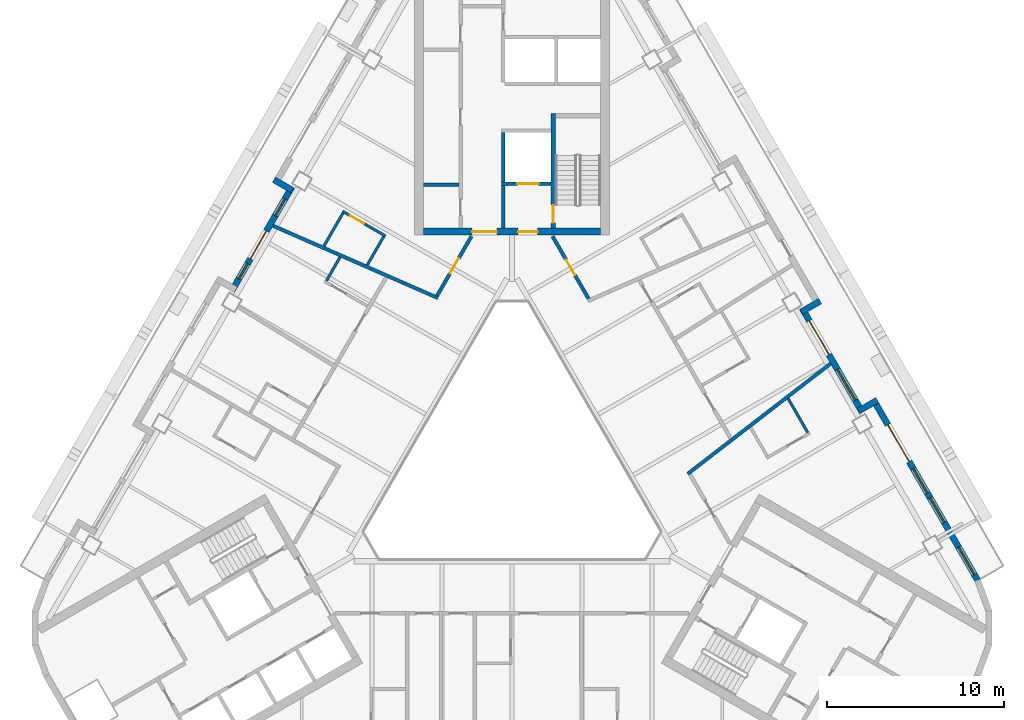
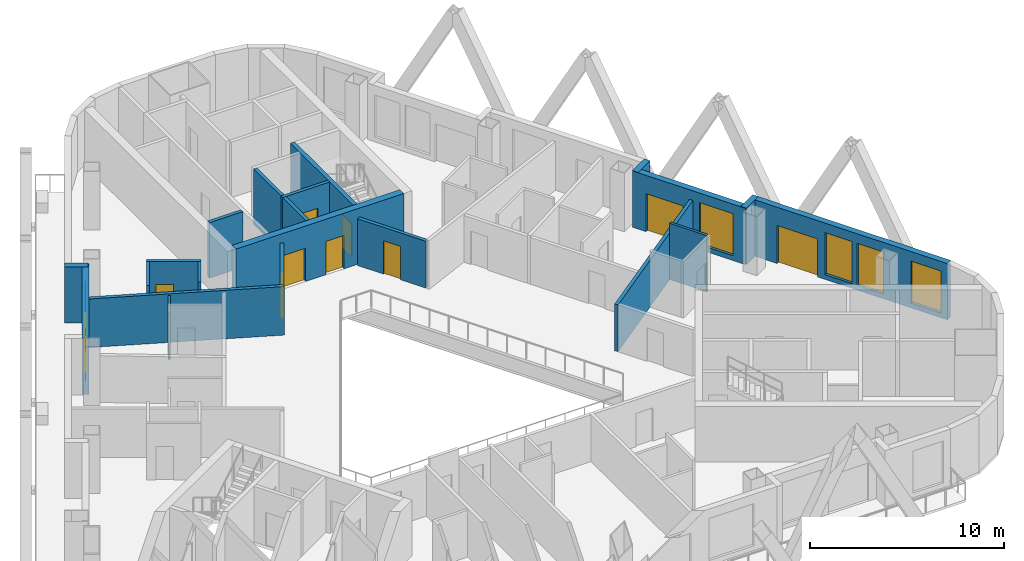
# One storey, part 6 of 14: 21 walls, 10 doors, 6 windows, 16 openings.
"""IFC4 building model written with IfcOpenShell, lengths in metres."""

from ifc_helpers import new_model, si_unit, direction, frame, frame_2d, origin, place, context, subcontext, project, spatial, rectangle, extrude, material, layer, layer_set, type_object, element, fill, save


model = new_model("IFC4")

# Units and contexts
model_context = context("Model", 3, precision=1e-05, world=origin(), true_north=direction((0.0, 1.0)))
body_context = subcontext(model_context, "Body", "Model", "MODEL_VIEW")
ifc_project = project(units=[si_unit("LENGTHUNIT", "METRE"), si_unit("AREAUNIT", "SQUARE_METRE"), si_unit("VOLUMEUNIT", "CUBIC_METRE"), si_unit("PLANEANGLEUNIT", "RADIAN"), si_unit("MASSUNIT", "GRAM", prefix="KILO")], contexts=[model_context])

# Site, building, storey
site_placement = place(None, origin())
site = spatial("IfcSite", under=ifc_project, at=site_placement, CompositionType="ELEMENT")
building_placement = place(site_placement, origin())
building = spatial("IfcBuilding", under=site, at=building_placement, Name="Apuvela Tower Hotel", CompositionType="ELEMENT")
storey_placement = place(building_placement, frame((0.0, 0.0, 176.199951171875)))
storey = spatial("IfcBuildingStorey", under=building, at=storey_placement, Name="L42", CompositionType="ELEMENT", Elevation=176.199951171875)

# Wall, openings, doors
ifc_material_1 = material(Name="Concrete C50/60", Category="concrete")
ifc_layer_1 = layer(ifc_material_1, 0.39990234375)
ifc_layer_set_1 = layer_set([ifc_layer_1], Name="COR-WALL-CORE-400")
wall_type_1 = type_object("IfcWallType", Name="COR-WALL-CORE-400", PredefinedType="SHEAR", material=ifc_layer_set_1)
wall_1_placement = place(storey_placement, frame((5.0, 13.10009765625, 0.0), z_axis=(0.0, 0.0, 1.0), x_axis=(-1.0, 0.0, 0.0)))
wall_1 = element("IfcWall", 1, at=wall_1_placement, inside=storey, type_object=wall_type_1, Name="Core wall N", PredefinedType="SHEAR", context=body_context, shape_type="SweptSolid", body=[
    extrude(rectangle(XDim=10.0, YDim=0.39990234375, at=frame_2d((5.0, 0.0))), origin(), (0.0, 0.0, 1.0), 3.5),
])
opening_1_placement = place(wall_1_placement, frame((3.550048828125, 0.0, 0.0)))
opening_1 = element("IfcOpeningElement", 2, at=opening_1_placement, cuts=wall_1, Name="Opening N-FD", PredefinedType="OPENING", context=body_context, shape_type="SweptSolid", body=[
    extrude(rectangle(XDim=1.10009765625, YDim=2.10009765625, at=frame_2d((0.550048828125, 1.050048828125))), frame((0.0, 0.2099609375, 0.0), z_axis=(0.0, -1.0, 0.0), x_axis=(1.0, 0.0, 0.0)), (0.0, 0.0, 1.0), 0.419921875),
])
opening_2_placement = place(wall_1_placement, frame((5.85009765625, 0.0, 0.0)))
opening_2 = element("IfcOpeningElement", 3, at=opening_2_placement, cuts=wall_1, Name="Opening N-GD", PredefinedType="OPENING", context=body_context, shape_type="SweptSolid", body=[
    extrude(rectangle(XDim=1.39990234375, YDim=2.10009765625, at=frame_2d((0.699951171875, 1.050048828125))), frame((0.0, 0.2099609375, 0.0), z_axis=(0.0, -1.0, 0.0), x_axis=(1.0, 0.0, 0.0)), (0.0, 0.0, 1.0), 0.419921875),
])
ifc_material_2 = material(Name="Steel fire door, powder coated", Category="steel")
door_type_1 = type_object("IfcDoorType", Name="COR-FD-1100", OperationType="NOTDEFINED", PredefinedType="DOOR", material=ifc_material_2)
door_1_placement = place(opening_1_placement, frame((1.10009765625, 0.0, 0.0), z_axis=(0.0, 0.0, 1.0), x_axis=(-1.0, 0.0, 0.0)))
door_1 = element("IfcDoor", 4, at=door_1_placement, inside=storey, type_object=door_type_1, Name="Firefighting lobby door N-FD", OperationType="SINGLE_SWING_LEFT", OverallHeight=2.10009765625, OverallWidth=1.10009765625, PredefinedType="DOOR", context=body_context, shape_type="SweptSolid", body=[
    extrude(rectangle(XDim=1.10009765625, YDim=2.10009765625, at=frame_2d((0.550048828125, 1.050048828125))), frame((0.0, 0.02490234375, 0.0), z_axis=(0.0, -1.0, 0.0), x_axis=(1.0, 0.0, 0.0)), (0.0, 0.0, 1.0), 0.050048828125),
])
fill(opening_1, door_1)
ifc_material_3 = material(Name="Glazed steel fire door", Category="steel")
door_type_2 = type_object("IfcDoorType", Name="COR-GD-1400", OperationType="DOUBLE_DOOR_SINGLE_SWING", PredefinedType="DOOR", material=ifc_material_3)
door_2_placement = place(opening_2_placement, frame((1.39990234375, 0.0, 0.0), z_axis=(0.0, 0.0, 1.0), x_axis=(-1.0, 0.0, 0.0)))
door_2 = element("IfcDoor", 5, at=door_2_placement, inside=storey, type_object=door_type_2, Name="Lift lobby door N-GD", OperationType="DOUBLE_DOOR_SINGLE_SWING", OverallHeight=2.10009765625, OverallWidth=1.39990234375, PredefinedType="DOOR", context=body_context, shape_type="SweptSolid", body=[
    extrude(rectangle(XDim=1.39990234375, YDim=2.10009765625, at=frame_2d((0.699951171875, 1.050048828125))), frame((0.0, 0.02490234375, 0.0), z_axis=(0.0, -1.0, 0.0), x_axis=(1.0, 0.0, 0.0)), (0.0, 0.0, 1.0), 0.050048828125),
])
fill(opening_2, door_2)

# Wall, opening, door
ifc_layer_2 = layer(ifc_material_1, 0.199951171875)
ifc_layer_set_2 = layer_set([ifc_layer_2], Name="COR-WALL-SHAFT-200")
wall_type_2 = type_object("IfcWallType", Name="COR-WALL-SHAFT-200", PredefinedType="SHEAR", material=ifc_layer_set_2)
wall_2_placement = place(storey_placement, frame((2.199951171875, 15.800048828125, 0.0), z_axis=(0.0, 0.0, 1.0), x_axis=(-1.0, 0.0, 0.0)))
wall_2 = element("IfcWall", 6, at=wall_2_placement, inside=storey, type_object=wall_type_2, Name="Shaft wall N", PredefinedType="SHEAR", context=body_context, shape_type="SweptSolid", body=[
    extrude(rectangle(XDim=2.800048828125, YDim=0.199951171875, at=frame_2d((1.39990234375, 0.0))), origin(), (0.0, 0.0, 1.0), 3.5),
])
opening_3_placement = place(wall_2_placement, frame((0.699951171875, 0.0, 0.0)))
opening_3 = element("IfcOpeningElement", 7, at=opening_3_placement, cuts=wall_2, Name="Opening N-LD-FS1", PredefinedType="OPENING", context=body_context, shape_type="SweptSolid", body=[
    extrude(rectangle(XDim=1.199951171875, YDim=2.10009765625, at=frame_2d((0.60009765625, 1.050048828125))), frame((0.0, 0.10986328125, 0.0), z_axis=(0.0, -1.0, 0.0), x_axis=(1.0, 0.0, 0.0)), (0.0, 0.0, 1.0), 0.219970703125),
])
ifc_material_4 = material(Name="Stainless steel lift landing door", Category="steel")
door_type_3 = type_object("IfcDoorType", Name="COR-LD-1200", OperationType="DOUBLE_DOOR_SLIDING", PredefinedType="DOOR", material=ifc_material_4)
door_3_placement = place(opening_3_placement, origin())
door_3 = element("IfcDoor", 8, at=door_3_placement, inside=storey, type_object=door_type_3, Name="Lift landing door N-LD-FS1", OperationType="DOUBLE_DOOR_SLIDING", OverallHeight=2.10009765625, OverallWidth=1.199951171875, PredefinedType="DOOR", context=body_context, shape_type="SweptSolid", body=[
    extrude(rectangle(XDim=1.199951171875, YDim=2.10009765625, at=frame_2d((0.60009765625, 1.050048828125))), frame((0.0, 0.02490234375, 0.0), z_axis=(0.0, -1.0, 0.0), x_axis=(1.0, 0.0, 0.0)), (0.0, 0.0, 1.0), 0.050048828125),
])
fill(opening_3, door_3)

# Walls
wall_3_placement = place(storey_placement, frame((-0.5, 15.89990234375, 0.0), z_axis=(0.0, 0.0, 1.0), x_axis=(0.0, 1.0, 0.0)))
element("IfcWall", 9, at=wall_3_placement, inside=storey, type_object=wall_type_2, Name="Shaft wall N", PredefinedType="SHEAR", context=body_context, shape_type="SweptSolid", body=[
    extrude(rectangle(XDim=2.800048828125, YDim=0.199951171875, at=frame_2d((1.39990234375, 0.0))), origin(), (0.0, 0.0, 1.0), 3.5),
])
wall_4_placement = place(storey_placement, frame((-0.5, 13.300048828125, 0.0), z_axis=(0.0, 0.0, 1.0), x_axis=(0.0, 1.0, 0.0)))
element("IfcWall", 10, at=wall_4_placement, inside=storey, type_object=wall_type_2, Name="Shaft wall N", PredefinedType="SHEAR", context=body_context, shape_type="SweptSolid", body=[
    extrude(rectangle(XDim=2.39990234375, YDim=0.199951171875, at=frame_2d((1.199951171875, 0.0))), origin(), (0.0, 0.0, 1.0), 3.5),
])
wall_5_placement = place(storey_placement, frame((-3.0, 15.739990234375, 0.0), z_axis=(0.0, 0.0, 1.0), x_axis=(-1.0, 0.0, 0.0)))
element("IfcWall", 11, at=wall_5_placement, inside=storey, type_object=wall_type_2, Name="Shaft wall N", PredefinedType="SHEAR", context=body_context, shape_type="SweptSolid", body=[
    extrude(rectangle(XDim=2.0, YDim=0.199951171875, at=frame_2d((1.0, 0.0))), origin(), (0.0, 0.0, 1.0), 3.5),
])

# Wall, opening, door
ifc_layer_3 = layer(ifc_material_1, 0.25)
ifc_layer_set_3 = layer_set([ifc_layer_3], Name="COR-WALL-STAIR-250")
wall_type_3 = type_object("IfcWallType", Name="COR-WALL-STAIR-250", PredefinedType="SHEAR", material=ifc_layer_set_3)
wall_6_placement = place(storey_placement, frame((2.324951171875, 13.300048828125, 0.0), z_axis=(0.0, 0.0, 1.0), x_axis=(0.0, 1.0, 0.0)))
wall_6 = element("IfcWall", 12, at=wall_6_placement, inside=storey, type_object=wall_type_3, Name="Stair wall N", PredefinedType="SHEAR", context=body_context, shape_type="SweptSolid", body=[
    extrude(rectangle(XDim=6.449951171875, YDim=0.25, at=frame_2d((3.22509765625, 0.0))), origin(), (0.0, 0.0, 1.0), 3.5),
])
opening_4_placement = place(wall_6_placement, frame((0.300048828125, 0.0, 0.0)))
opening_4 = element("IfcOpeningElement", 13, at=opening_4_placement, cuts=wall_6, Name="Opening N-SD", PredefinedType="OPENING", context=body_context, shape_type="SweptSolid", body=[
    extrude(rectangle(XDim=1.0, YDim=2.10009765625, at=frame_2d((0.5, 1.050048828125))), frame((0.0, 0.135009765625, 0.0), z_axis=(0.0, -1.0, 0.0), x_axis=(1.0, 0.0, 0.0)), (0.0, 0.0, 1.0), 0.27001953125),
])
door_type_4 = type_object("IfcDoorType", Name="COR-SD-1000", OperationType="NOTDEFINED", PredefinedType="DOOR", material=ifc_material_2)
door_4_placement = place(opening_4_placement, frame((1.0, 0.0, 0.0), z_axis=(0.0, 0.0, 1.0), x_axis=(-1.0, 0.0, 0.0)))
door_4 = element("IfcDoor", 14, at=door_4_placement, inside=storey, type_object=door_type_4, Name="Stair door N-SD", OperationType="SINGLE_SWING_LEFT", OverallHeight=2.10009765625, OverallWidth=1.0, PredefinedType="DOOR", context=body_context, shape_type="SweptSolid", body=[
    extrude(rectangle(XDim=1.0, YDim=2.10009765625, at=frame_2d((0.5, 1.050048828125))), frame((0.0, 0.02490234375, 0.0), z_axis=(0.0, -1.0, 0.0), x_axis=(1.0, 0.0, 0.0)), (0.0, 0.0, 1.0), 0.050048828125),
])
fill(opening_4, door_4)

# Wall
ifc_material_5 = material(Name="Concrete C40/50, dark pigmented precast panel", Category="concrete")
ifc_layer_4 = layer(ifc_material_5, 0.35009765625)
ifc_layer_set_4 = layer_set([ifc_layer_4], Name="ENV-WALL-350")
wall_type_4 = type_object("IfcWallType", Name="ENV-WALL-350", PredefinedType="SOLIDWALL", material=ifc_layer_set_4)
wall_7_placement = place(storey_placement, frame((-13.41259765625, 16.02880859375, 0.0), z_axis=(0.0, 0.0, 1.0), x_axis=(0.866005645448, -0.500034220881, 0.0)))
element("IfcWall", 15, at=wall_7_placement, inside=storey, type_object=wall_type_4, Name="External wall L42-02", PredefinedType="SOLIDWALL", context=body_context, shape_type="SweptSolid", body=[
    extrude(rectangle(XDim=1.22021484375, YDim=0.35009765625, at=frame_2d((0.610107421875, 0.0))), origin(), (0.0, 0.0, 1.0), 3.550048828125),
])

# Wall, openings, door, windows
wall_8_placement = place(storey_placement, frame((-12.408935546875, 15.616943359375, 0.0), z_axis=(0.0, 0.0, 1.0), x_axis=(-0.500003597184, -0.866023326939, 0.0)))
wall_8 = element("IfcWall", 16, at=wall_8_placement, inside=storey, type_object=wall_type_4, Name="External wall L42-03", PredefinedType="SOLIDWALL", context=body_context, shape_type="SweptSolid", body=[
    extrude(rectangle(XDim=6.740234375, YDim=0.35009765625, at=frame_2d((3.3701171875, 0.0))), origin(), (0.0, 0.0, 1.0), 3.550048828125),
])
opening_5_placement = place(wall_8_placement, frame((0.77001953125, 0.0, 0.300048828125)))
opening_5 = element("IfcOpeningElement", 17, at=opening_5_placement, cuts=wall_8, Name="Opening WN11", PredefinedType="OPENING", context=body_context, shape_type="SweptSolid", body=[
    extrude(rectangle(XDim=1.10009765625, YDim=2.64990234375, at=frame_2d((0.550048828125, 1.324951171875))), frame((0.0, 0.18505859375, 0.0), z_axis=(0.0, -1.0, 0.0), x_axis=(1.0, 0.0, 0.0)), (0.0, 0.0, 1.0), 0.3701171875),
])
opening_6_placement = place(wall_8_placement, frame((2.86962890625, 0.0, 0.0)))
opening_6 = element("IfcOpeningElement", 18, at=opening_6_placement, cuts=wall_8, Name="Opening BD18", PredefinedType="OPENING", context=body_context, shape_type="SweptSolid", body=[
    extrude(rectangle(XDim=1.800048828125, YDim=2.39990234375, at=frame_2d((0.89990234375, 1.199951171875))), frame((0.0, 0.18505859375, 0.0), z_axis=(0.0, -1.0, 0.0), x_axis=(1.0, 0.0, 0.0)), (0.0, 0.0, 1.0), 0.3701171875),
])
opening_7_placement = place(wall_8_placement, frame((4.9697265625, 0.0, 0.300048828125)))
opening_7 = element("IfcOpeningElement", 19, at=opening_7_placement, cuts=wall_8, Name="Opening WN10", PredefinedType="OPENING", context=body_context, shape_type="SweptSolid", body=[
    extrude(rectangle(XDim=1.0, YDim=2.64990234375, at=frame_2d((0.5, 1.324951171875))), frame((0.0, 0.18505859375, 0.0), z_axis=(0.0, -1.0, 0.0), x_axis=(1.0, 0.0, 0.0)), (0.0, 0.0, 1.0), 0.3701171875),
])
ifc_material_6 = material(Name="Aluminium 6063-T6, dark bronze anodised frame with dark tinted laminated glass", Category="aluminium")
door_type_5 = type_object("IfcDoorType", Name="ENV-DOOR-BALCONY-1800x2400", OperationType="SLIDING_TO_LEFT", PredefinedType="DOOR", material=ifc_material_6)
door_5_placement = place(opening_6_placement, frame((1.800048828125, 0.0, 0.0), z_axis=(0.0, 0.0, 1.0), x_axis=(-1.0, 0.0, 0.0)))
door_5 = element("IfcDoor", 20, at=door_5_placement, inside=storey, type_object=door_type_5, Name="Balcony door BD18", OperationType="SLIDING_TO_LEFT", OverallHeight=2.39990234375, OverallWidth=1.800048828125, PredefinedType="DOOR", context=body_context, shape_type="SweptSolid", body=[
    extrude(rectangle(XDim=1.800048828125, YDim=2.39990234375, at=frame_2d((0.89990234375, 1.199951171875))), frame((0.0, 0.02490234375, 0.0), z_axis=(0.0, -1.0, 0.0), x_axis=(1.0, 0.0, 0.0)), (0.0, 0.0, 1.0), 0.050048828125),
])
fill(opening_6, door_5)
ifc_material_7 = material(Name="Glass, dark tinted laminated insulated glazing unit", Category="glass")
window_type_1 = type_object("IfcWindowType", Name="ENV-WIN-1000x2650", PartitioningType="SINGLE_PANEL", PredefinedType="WINDOW", material=ifc_material_7)
window_1_placement = place(opening_7_placement, origin())
window_1 = element("IfcWindow", 21, at=window_1_placement, inside=storey, type_object=window_type_1, Name="Window WN10", OverallHeight=2.64990234375, OverallWidth=1.0, PartitioningType="SINGLE_PANEL", PredefinedType="WINDOW", context=body_context, shape_type="SweptSolid", body=[
    extrude(rectangle(XDim=1.0, YDim=2.64990234375, at=frame_2d((0.5, 1.324951171875))), frame((0.0, 0.030029296875, 0.0), z_axis=(0.0, -1.0, 0.0), x_axis=(1.0, 0.0, 0.0)), (0.0, 0.0, 1.0), 0.06005859375),
])
fill(opening_7, window_1)
window_type_2 = type_object("IfcWindowType", Name="ENV-WIN-1100x2650", PartitioningType="SINGLE_PANEL", PredefinedType="WINDOW", material=ifc_material_7)
window_2_placement = place(opening_5_placement, origin())
window_2 = element("IfcWindow", 22, at=window_2_placement, inside=storey, type_object=window_type_2, Name="Window WN11", OverallHeight=2.64990234375, OverallWidth=1.10009765625, PartitioningType="SINGLE_PANEL", PredefinedType="WINDOW", context=body_context, shape_type="SweptSolid", body=[
    extrude(rectangle(XDim=1.10009765625, YDim=2.64990234375, at=frame_2d((0.550048828125, 1.324951171875))), frame((0.0, 0.030029296875, 0.0), z_axis=(0.0, -1.0, 0.0), x_axis=(1.0, 0.0, 0.0)), (0.0, 0.0, 1.0), 0.06005859375),
])
fill(opening_5, window_2)

wall_9_placement = place(storey_placement, frame((26.256591796875, -6.5673828125, 0.0), z_axis=(0.0, 0.0, 1.0), x_axis=(-0.500023526245, 0.866011820475, 0.0)))
wall_9 = element("IfcWall", 23, at=wall_9_placement, inside=storey, type_object=wall_type_4, Name="External wall L42-33", PredefinedType="SOLIDWALL", context=body_context, shape_type="SweptSolid", body=[
    extrude(rectangle(XDim=11.81591796875, YDim=0.35009765625, at=frame_2d((5.907958984375, 0.0))), origin(), (0.0, 0.0, 1.0), 3.550048828125),
])
opening_8_placement = place(wall_9_placement, frame((0.380126953125, 0.0, 0.300048828125)))
opening_8 = element("IfcOpeningElement", 24, at=opening_8_placement, cuts=wall_9, Name="Opening WN18", PredefinedType="OPENING", context=body_context, shape_type="SweptSolid", body=[
    extrude(rectangle(XDim=1.800048828125, YDim=2.64990234375, at=frame_2d((0.89990234375, 1.324951171875))), frame((0.0, 0.18505859375, 0.0), z_axis=(0.0, -1.0, 0.0), x_axis=(1.0, 0.0, 0.0)), (0.0, 0.0, 1.0), 0.3701171875),
])
opening_9_placement = place(wall_9_placement, frame((7.7412109375, 0.0, 0.0)))
opening_9 = element("IfcOpeningElement", 25, at=opening_9_placement, cuts=wall_9, Name="Opening BD24", PredefinedType="OPENING", context=body_context, shape_type="SweptSolid", body=[
    extrude(rectangle(XDim=2.39990234375, YDim=2.39990234375, at=frame_2d((1.199951171875, 1.199951171875))), frame((0.0, 0.18505859375, 0.0), z_axis=(0.0, -1.0, 0.0), x_axis=(1.0, 0.0, 0.0)), (0.0, 0.0, 1.0), 0.3701171875),
])
opening_10_placement = place(wall_9_placement, frame((3.791015625, 0.0, 0.300048828125)))
opening_10 = element("IfcOpeningElement", 26, at=opening_10_placement, cuts=wall_9, Name="Opening WN16", PredefinedType="OPENING", context=body_context, shape_type="SweptSolid", body=[
    extrude(rectangle(XDim=1.60009765625, YDim=2.64990234375, at=frame_2d((0.800048828125, 1.324951171875))), frame((0.0, 0.18505859375, 0.0), z_axis=(0.0, -1.0, 0.0), x_axis=(1.0, 0.0, 0.0)), (0.0, 0.0, 1.0), 0.3701171875),
])
opening_11_placement = place(wall_9_placement, frame((5.69091796875, 0.0, 0.300048828125)))
opening_11 = element("IfcOpeningElement", 27, at=opening_11_placement, cuts=wall_9, Name="Opening WN16", PredefinedType="OPENING", context=body_context, shape_type="SweptSolid", body=[
    extrude(rectangle(XDim=1.60009765625, YDim=2.64990234375, at=frame_2d((0.800048828125, 1.324951171875))), frame((0.0, 0.18505859375, 0.0), z_axis=(0.0, -1.0, 0.0), x_axis=(1.0, 0.0, 0.0)), (0.0, 0.0, 1.0), 0.3701171875),
])
door_type_6 = type_object("IfcDoorType", Name="ENV-DOOR-BALCONY-2400x2400", OperationType="SLIDING_TO_LEFT", PredefinedType="DOOR", material=ifc_material_6)
door_6_placement = place(opening_9_placement, frame((2.39990234375, 0.0, 0.0), z_axis=(0.0, 0.0, 1.0), x_axis=(-1.0, 0.0, 0.0)))
door_6 = element("IfcDoor", 28, at=door_6_placement, inside=storey, type_object=door_type_6, Name="Balcony door BD24", OperationType="SLIDING_TO_LEFT", OverallHeight=2.39990234375, OverallWidth=2.39990234375, PredefinedType="DOOR", context=body_context, shape_type="SweptSolid", body=[
    extrude(rectangle(XDim=2.39990234375, YDim=2.39990234375, at=frame_2d((1.199951171875, 1.199951171875))), frame((0.0, 0.02490234375, 0.0), z_axis=(0.0, -1.0, 0.0), x_axis=(1.0, 0.0, 0.0)), (0.0, 0.0, 1.0), 0.050048828125),
])
fill(opening_9, door_6)
window_type_3 = type_object("IfcWindowType", Name="ENV-WIN-1600x2650", PartitioningType="SINGLE_PANEL", PredefinedType="WINDOW", material=ifc_material_7)
window_3_placement = place(opening_10_placement, origin())
window_3 = element("IfcWindow", 29, at=window_3_placement, inside=storey, type_object=window_type_3, Name="Window WN16", OverallHeight=2.64990234375, OverallWidth=1.60009765625, PartitioningType="SINGLE_PANEL", PredefinedType="WINDOW", context=body_context, shape_type="SweptSolid", body=[
    extrude(rectangle(XDim=1.60009765625, YDim=2.64990234375, at=frame_2d((0.800048828125, 1.324951171875))), frame((0.0, 0.030029296875, 0.0), z_axis=(0.0, -1.0, 0.0), x_axis=(1.0, 0.0, 0.0)), (0.0, 0.0, 1.0), 0.06005859375),
])
fill(opening_10, window_3)
window_4_placement = place(opening_11_placement, origin())
window_4 = element("IfcWindow", 30, at=window_4_placement, inside=storey, type_object=window_type_3, Name="Window WN16", OverallHeight=2.64990234375, OverallWidth=1.60009765625, PartitioningType="SINGLE_PANEL", PredefinedType="WINDOW", context=body_context, shape_type="SweptSolid", body=[
    extrude(rectangle(XDim=1.60009765625, YDim=2.64990234375, at=frame_2d((0.800048828125, 1.324951171875))), frame((0.0, 0.030029296875, 0.0), z_axis=(0.0, -1.0, 0.0), x_axis=(1.0, 0.0, 0.0)), (0.0, 0.0, 1.0), 0.06005859375),
])
fill(opening_11, window_4)
window_type_4 = type_object("IfcWindowType", Name="ENV-WIN-1800x2650", PartitioningType="SINGLE_PANEL", PredefinedType="WINDOW", material=ifc_material_7)
window_5_placement = place(opening_8_placement, origin())
window_5 = element("IfcWindow", 31, at=window_5_placement, inside=storey, type_object=window_type_4, Name="Window WN18", OverallHeight=2.64990234375, OverallWidth=1.800048828125, PartitioningType="SINGLE_PANEL", PredefinedType="WINDOW", context=body_context, shape_type="SweptSolid", body=[
    extrude(rectangle(XDim=1.800048828125, YDim=2.64990234375, at=frame_2d((0.89990234375, 1.324951171875))), frame((0.0, 0.030029296875, 0.0), z_axis=(0.0, -1.0, 0.0), x_axis=(1.0, 0.0, 0.0)), (0.0, 0.0, 1.0), 0.06005859375),
])
fill(opening_8, window_5)

# Wall
wall_10_placement = place(storey_placement, frame((20.587646484375, 3.601318359375, 0.0), z_axis=(0.0, 0.0, 1.0), x_axis=(-0.866005645448, -0.500034220881, 0.0)))
element("IfcWall", 32, at=wall_10_placement, inside=storey, type_object=wall_type_4, Name="External wall L42-34", PredefinedType="SOLIDWALL", context=body_context, shape_type="SweptSolid", body=[
    extrude(rectangle(XDim=1.22021484375, YDim=0.35009765625, at=frame_2d((0.610107421875, 0.0))), origin(), (0.0, 0.0, 1.0), 3.550048828125),
])

# Wall, openings, door, window
wall_11_placement = place(storey_placement, frame((19.72900390625, 2.93798828125, 0.0), z_axis=(0.0, 0.0, 1.0), x_axis=(-0.499976430342, 0.866039011305, 0.0)))
wall_11 = element("IfcWall", 33, at=wall_11_placement, inside=storey, type_object=wall_type_4, Name="External wall L42-35", PredefinedType="SOLIDWALL", context=body_context, shape_type="SweptSolid", body=[
    extrude(rectangle(XDim=6.739990234375, YDim=0.35009765625, at=frame_2d((3.3701171875, 0.0))), origin(), (0.0, 0.0, 1.0), 3.550048828125),
])
opening_12_placement = place(wall_11_placement, frame((0.77001953125, 0.0, 0.300048828125)))
opening_12 = element("IfcOpeningElement", 34, at=opening_12_placement, cuts=wall_11, Name="Opening WN20", PredefinedType="OPENING", context=body_context, shape_type="SweptSolid", body=[
    extrude(rectangle(XDim=2.0, YDim=2.64990234375, at=frame_2d((1.0, 1.324951171875))), frame((0.0, 0.18505859375, 0.0), z_axis=(0.0, -1.0, 0.0), x_axis=(1.0, 0.0, 0.0)), (0.0, 0.0, 1.0), 0.3701171875),
])
opening_13_placement = place(wall_11_placement, frame((3.73388671875, 0.0, 0.0)))
opening_13 = element("IfcOpeningElement", 35, at=opening_13_placement, cuts=wall_11, Name="Opening BD22", PredefinedType="OPENING", context=body_context, shape_type="SweptSolid", body=[
    extrude(rectangle(XDim=2.199951171875, YDim=2.39990234375, at=frame_2d((1.10009765625, 1.199951171875))), frame((0.0, 0.18505859375, 0.0), z_axis=(0.0, -1.0, 0.0), x_axis=(1.0, 0.0, 0.0)), (0.0, 0.0, 1.0), 0.3701171875),
])
door_type_7 = type_object("IfcDoorType", Name="ENV-DOOR-BALCONY-2200x2400", OperationType="SLIDING_TO_LEFT", PredefinedType="DOOR", material=ifc_material_6)
door_7_placement = place(opening_13_placement, frame((2.199951171875, 0.0, 0.0), z_axis=(0.0, 0.0, 1.0), x_axis=(-1.0, 0.0, 0.0)))
door_7 = element("IfcDoor", 36, at=door_7_placement, inside=storey, type_object=door_type_7, Name="Balcony door BD22", OperationType="SLIDING_TO_LEFT", OverallHeight=2.39990234375, OverallWidth=2.199951171875, PredefinedType="DOOR", context=body_context, shape_type="SweptSolid", body=[
    extrude(rectangle(XDim=2.199951171875, YDim=2.39990234375, at=frame_2d((1.10009765625, 1.199951171875))), frame((0.0, 0.02490234375, 0.0), z_axis=(0.0, -1.0, 0.0), x_axis=(1.0, 0.0, 0.0)), (0.0, 0.0, 1.0), 0.050048828125),
])
fill(opening_13, door_7)
window_type_5 = type_object("IfcWindowType", Name="ENV-WIN-2000x2650", PartitioningType="SINGLE_PANEL", PredefinedType="WINDOW", material=ifc_material_7)
window_6_placement = place(opening_12_placement, origin())
window_6 = element("IfcWindow", 37, at=window_6_placement, inside=storey, type_object=window_type_5, Name="Window WN20", OverallHeight=2.64990234375, OverallWidth=2.0, PartitioningType="SINGLE_PANEL", PredefinedType="WINDOW", context=body_context, shape_type="SweptSolid", body=[
    extrude(rectangle(XDim=2.0, YDim=2.64990234375, at=frame_2d((1.0, 1.324951171875))), frame((0.0, 0.030029296875, 0.0), z_axis=(0.0, -1.0, 0.0), x_axis=(1.0, 0.0, 0.0)), (0.0, 0.0, 1.0), 0.06005859375),
])
fill(opening_12, window_6)

# Walls
wall_12_placement = place(storey_placement, frame((16.305908203125, 8.5771484375, 0.0), z_axis=(0.0, 0.0, 1.0), x_axis=(0.866092288191, 0.499884134912, 0.0)))
element("IfcWall", 38, at=wall_12_placement, inside=storey, type_object=wall_type_4, Name="External wall L42-36", PredefinedType="SOLIDWALL", context=body_context, shape_type="SweptSolid", body=[
    extrude(rectangle(XDim=1.219970703125, YDim=0.35009765625, at=frame_2d((0.60986328125, 0.0))), origin(), (0.0, 0.0, 1.0), 3.550048828125),
])
ifc_material_8 = material(Name="Gypsum board partition on twin steel stud", Category="steel")
ifc_layer_5 = layer(ifc_material_8, 0.199951171875)
ifc_layer_set_5 = layer_set([ifc_layer_5], Name="GST-PW1")
wall_type_5 = type_object("IfcWallType", Name="GST-PW1", PredefinedType="PARTITIONING", material=ifc_layer_set_5)
wall_13_placement = place(storey_placement, frame((17.953125, 5.664306640625, 0.0), z_axis=(0.0, 0.0, 1.0), x_axis=(-0.791642262136, -0.610984884264, 0.0)))
element("IfcWall", 39, at=wall_13_placement, inside=storey, type_object=wall_type_5, Name="L42 partition 04", PredefinedType="PARTITIONING", context=body_context, shape_type="SweptSolid", body=[
    extrude(rectangle(XDim=10.170654296875, YDim=0.199951171875, at=frame_2d((5.08544921875, 0.0))), origin(), (0.0, 0.0, 1.0), 2.949951171875),
])
wall_14_placement = place(storey_placement, frame((-13.46728515625, 13.43359375, 0.0), z_axis=(0.0, 0.0, 1.0), x_axis=(0.916026348045, -0.401118099426, 0.0)))
element("IfcWall", 40, at=wall_14_placement, inside=storey, type_object=wall_type_5, Name="L42 partition 07", PredefinedType="PARTITIONING", context=body_context, shape_type="SweptSolid", body=[
    extrude(rectangle(XDim=10.141845703125, YDim=0.199951171875, at=frame_2d((5.07080078125, 0.0))), origin(), (0.0, 0.0, 1.0), 3.06005859375),
])

# Wall, opening, door
ifc_material_9 = material(Name="Gypsum board corridor wall on twin steel stud, acoustic", Category="steel")
ifc_layer_6 = layer(ifc_material_9, 0.199951171875)
ifc_layer_set_6 = layer_set([ifc_layer_6], Name="GST-PW2")
wall_type_6 = type_object("IfcWallType", Name="GST-PW2", PredefinedType="PARTITIONING", material=ifc_layer_set_6)
wall_15_placement = place(storey_placement, frame((2.280517578125, 12.85009765625, 0.0), z_axis=(0.0, 0.0, 1.0), x_axis=(0.499971273698, -0.866041988288, 0.0)))
wall_15 = element("IfcWall", 41, at=wall_15_placement, inside=storey, type_object=wall_type_6, Name="L42 partition 34", PredefinedType="PARTITIONING", context=body_context, shape_type="SweptSolid", body=[
    extrude(rectangle(XDim=4.076904296875, YDim=0.199951171875, at=frame_2d((2.03857421875, 0.0))), origin(), (0.0, 0.0, 1.0), 2.949951171875),
])
opening_14_placement = place(wall_15_placement, frame((1.538330078125, 0.0, 0.0)))
opening_14 = element("IfcOpeningElement", 42, at=opening_14_placement, cuts=wall_15, Name="Opening GD16-16", PredefinedType="OPENING", context=body_context, shape_type="SweptSolid", body=[
    extrude(rectangle(XDim=1.0, YDim=2.10009765625, at=frame_2d((0.5, 1.050048828125))), frame((0.0, 0.10986328125, 0.0), z_axis=(0.0, -1.0, 0.0), x_axis=(1.0, 0.0, 0.0)), (0.0, 0.0, 1.0), 0.219970703125),
])
ifc_material_10 = material(Name="Timber door leaf in steel frame", Category="steel")
door_type_8 = type_object("IfcDoorType", Name="GST-D1", OperationType="NOTDEFINED", PredefinedType="DOOR", material=ifc_material_10)
door_8_placement = place(opening_14_placement, origin())
door_8 = element("IfcDoor", 43, at=door_8_placement, inside=storey, type_object=door_type_8, Name="Door L42-16", OperationType="SINGLE_SWING_RIGHT", OverallHeight=2.10009765625, OverallWidth=1.0, PredefinedType="DOOR", context=body_context, shape_type="SweptSolid", body=[
    extrude(rectangle(XDim=1.0, YDim=2.10009765625, at=frame_2d((0.5, 1.050048828125))), frame((0.0, 0.02490234375, 0.0), z_axis=(0.0, -1.0, 0.0), x_axis=(1.0, 0.0, 0.0)), (0.0, 0.0, 1.0), 0.050048828125),
])
fill(opening_14, door_8)

wall_16_placement = place(storey_placement, frame((-4.21875, 9.492919921875, 0.0), z_axis=(0.0, 0.0, 1.0), x_axis=(0.499993219391, 0.866029318535, 0.0)))
wall_16 = element("IfcWall", 44, at=wall_16_placement, inside=storey, type_object=wall_type_6, Name="L42 partition 38", PredefinedType="PARTITIONING", context=body_context, shape_type="SweptSolid", body=[
    extrude(rectangle(XDim=3.87646484375, YDim=0.199951171875, at=frame_2d((1.938232421875, 0.0))), origin(), (0.0, 0.0, 1.0), 2.949951171875),
])
opening_15_placement = place(wall_16_placement, frame((1.438232421875, 0.0, 0.0)))
opening_15 = element("IfcOpeningElement", 45, at=opening_15_placement, cuts=wall_16, Name="Opening GD16-18", PredefinedType="OPENING", context=body_context, shape_type="SweptSolid", body=[
    extrude(rectangle(XDim=1.0, YDim=2.10009765625, at=frame_2d((0.5, 1.050048828125))), frame((0.0, 0.10986328125, 0.0), z_axis=(0.0, -1.0, 0.0), x_axis=(1.0, 0.0, 0.0)), (0.0, 0.0, 1.0), 0.219970703125),
])
door_9_placement = place(opening_15_placement, origin())
door_9 = element("IfcDoor", 46, at=door_9_placement, inside=storey, type_object=door_type_8, Name="Door L42-18", OperationType="SINGLE_SWING_LEFT", OverallHeight=2.10009765625, OverallWidth=1.0, PredefinedType="DOOR", context=body_context, shape_type="SweptSolid", body=[
    extrude(rectangle(XDim=1.0, YDim=2.10009765625, at=frame_2d((0.5, 1.050048828125))), frame((0.0, 0.02490234375, 0.0), z_axis=(0.0, -1.0, 0.0), x_axis=(1.0, 0.0, 0.0)), (0.0, 0.0, 1.0), 0.050048828125),
])
fill(opening_15, door_9)

# Wall
ifc_material_11 = material(Name="Moisture-resistant gypsum board wet wall on steel stud", Category="steel")
ifc_layer_7 = layer(ifc_material_11, 0.14990234375)
ifc_layer_set_7 = layer_set([ifc_layer_7], Name="GST-PW3")
wall_type_7 = type_object("IfcWallType", Name="GST-PW3", PredefinedType="PARTITIONING", material=ifc_layer_set_7)
wall_17_placement = place(storey_placement, frame((16.67138671875, 1.77392578125, 0.0), z_axis=(0.0, 0.0, 1.0), x_axis=(-0.499941746681, 0.866059033742, 0.0)))
element("IfcWall", 47, at=wall_17_placement, inside=storey, type_object=wall_type_7, Name="L42 partition 26", PredefinedType="PARTITIONING", context=body_context, shape_type="SweptSolid", body=[
    extrude(rectangle(XDim=2.216552734375, YDim=0.14990234375, at=frame_2d((1.1083984375, 0.0))), origin(), (0.0, 0.0, 1.0), 3.550048828125),
])

# Wall, opening, door
wall_18_placement = place(storey_placement, frame((-7.127197265625, 12.85498046875, 0.0), z_axis=(0.0, 0.0, 1.0), x_axis=(-0.866018616679, 0.500011755427, 0.0)))
wall_18 = element("IfcWall", 48, at=wall_18_placement, inside=storey, type_object=wall_type_7, Name="L42 partition 39", PredefinedType="PARTITIONING", context=body_context, shape_type="SweptSolid", body=[
    extrude(rectangle(XDim=2.80029296875, YDim=0.14990234375, at=frame_2d((1.400146484375, 0.0))), origin(), (0.0, 0.0, 1.0), 3.550048828125),
])
opening_16_placement = place(wall_18_placement, frame((1.39990234375, 0.0, 0.0)))
opening_16 = element("IfcOpeningElement", 49, at=opening_16_placement, cuts=wall_18, Name="Opening GD16-17", PredefinedType="OPENING", context=body_context, shape_type="SweptSolid", body=[
    extrude(rectangle(XDim=0.89990234375, YDim=2.10009765625, at=frame_2d((0.449951171875, 1.050048828125))), frame((0.0, 0.0849609375, 0.0), z_axis=(0.0, -1.0, 0.0), x_axis=(1.0, 0.0, 0.0)), (0.0, 0.0, 1.0), 0.169921875),
])
door_type_9 = type_object("IfcDoorType", Name="GST-D2", OperationType="NOTDEFINED", PredefinedType="DOOR", material=ifc_material_10)
door_10_placement = place(opening_16_placement, origin())
door_10 = element("IfcDoor", 50, at=door_10_placement, inside=storey, type_object=door_type_9, Name="Door L42-17", OperationType="SINGLE_SWING_RIGHT", OverallHeight=2.10009765625, OverallWidth=0.89990234375, PredefinedType="DOOR", context=body_context, shape_type="SweptSolid", body=[
    extrude(rectangle(XDim=0.89990234375, YDim=2.10009765625, at=frame_2d((0.449951171875, 1.050048828125))), frame((0.0, 0.02490234375, 0.0), z_axis=(0.0, -1.0, 0.0), x_axis=(1.0, 0.0, 0.0)), (0.0, 0.0, 1.0), 0.050048828125),
])
fill(opening_16, door_10)

# Walls
wall_19_placement = place(storey_placement, frame((-9.524658203125, 14.152587890625, 0.0), z_axis=(0.0, 0.0, 1.0), x_axis=(-0.500016891966, -0.866015650984, 0.0)))
element("IfcWall", 51, at=wall_19_placement, inside=storey, type_object=wall_type_7, Name="L42 partition 40", PredefinedType="PARTITIONING", context=body_context, shape_type="SweptSolid", body=[
    extrude(rectangle(XDim=2.1533203125, YDim=0.14990234375, at=frame_2d((1.07666015625, 0.0))), origin(), (0.0, 0.0, 1.0), 3.550048828125),
])
wall_20_placement = place(storey_placement, frame((-7.229736328125, 12.82763671875, 0.0), z_axis=(0.0, 0.0, 1.0), x_axis=(-0.500010545262, -0.866019315389, 0.0)))
element("IfcWall", 52, at=wall_20_placement, inside=storey, type_object=wall_type_7, Name="L42 partition 41", PredefinedType="PARTITIONING", context=body_context, shape_type="SweptSolid", body=[
    extrude(rectangle(XDim=1.8583984375, YDim=0.14990234375, at=frame_2d((0.92919921875, 0.0))), origin(), (0.0, 0.0, 1.0), 3.550048828125),
])
wall_21_placement = place(storey_placement, frame((-9.688232421875, 11.669677734375, 0.0), z_axis=(0.0, 0.0, 1.0), x_axis=(-0.499890974144, -0.866088340742, 0.0)))
element("IfcWall", 53, at=wall_21_placement, inside=storey, type_object=wall_type_7, Name="L42 partition 44", PredefinedType="PARTITIONING", context=body_context, shape_type="SweptSolid", body=[
    extrude(rectangle(XDim=1.546630859375, YDim=0.14990234375, at=frame_2d((0.7734375, 0.0))), origin(), (0.0, 0.0, 1.0), 2.949951171875),
])

save(model, "model.ifc")
